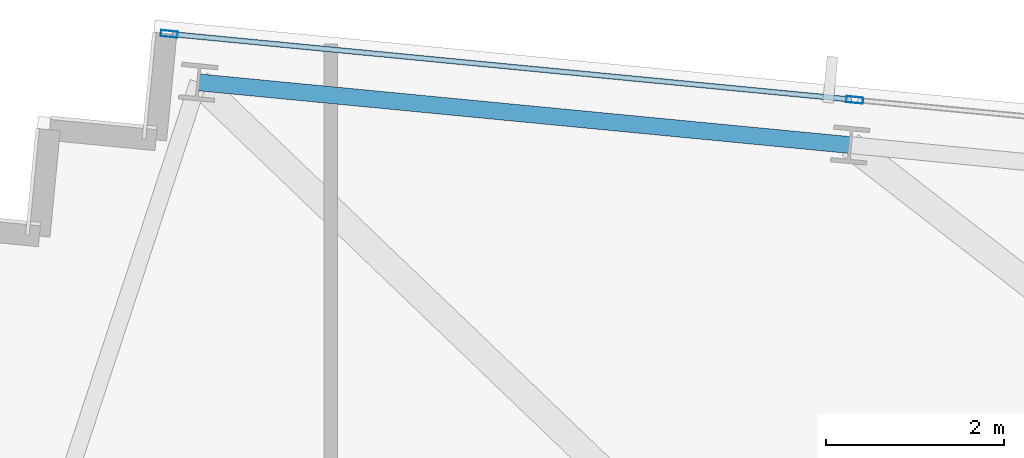
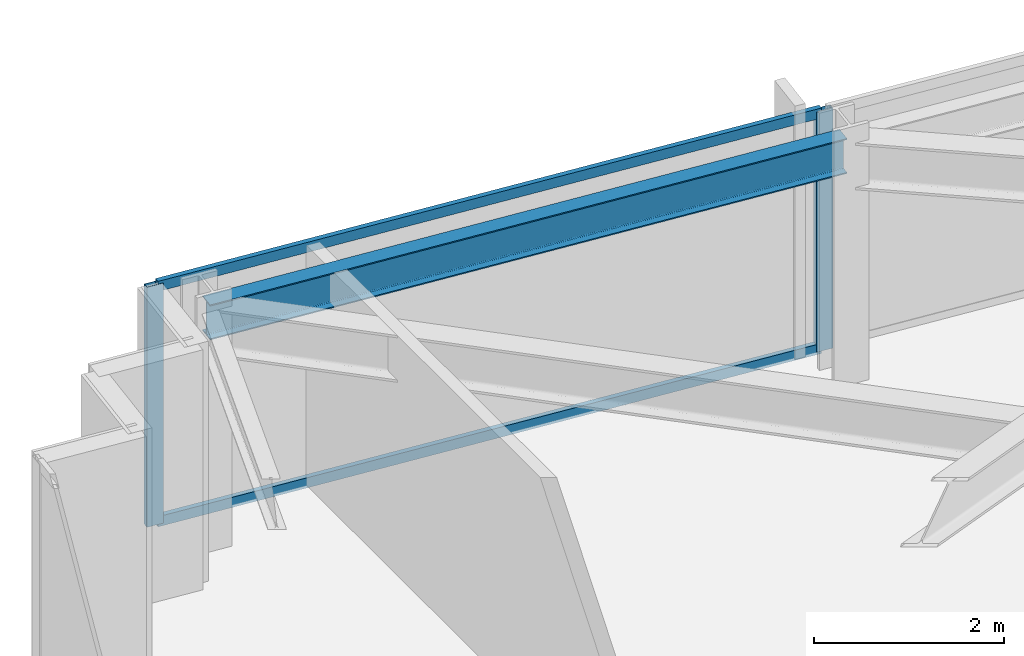
# One storey, part 23 of 37: 4 members, 1 beam, 1 element without a shape of its own.
"""IFC4 building model written with IfcOpenShell, lengths in metres."""

from ifc_helpers import new_model, si_unit, direction, frame, origin, origin_2d, place, context, subcontext, project, spatial, hollow_rectangle, i_section, extrude, material, material_profile, profile_set, type_object, element, aggregate, save


model = new_model("IFC4")

# Units and contexts
model_context = context("Model", 3, precision=1e-05, world=origin(), true_north=direction((0.0, 1.0)))
body_context = subcontext(model_context, "Body", "Model", "MODEL_VIEW")
ifc_project = project(units=[si_unit("LENGTHUNIT", "METRE"), si_unit("AREAUNIT", "SQUARE_METRE"), si_unit("VOLUMEUNIT", "CUBIC_METRE"), si_unit("PLANEANGLEUNIT", "RADIAN"), si_unit("MASSUNIT", "GRAM", prefix="KILO")], contexts=[model_context])

# Site, building, storey
site_placement = place(None, origin())
site = spatial("IfcSite", under=ifc_project, at=site_placement, CompositionType="ELEMENT")
building_placement = place(site_placement, origin())
building = spatial("IfcBuilding", under=site, at=building_placement, Name="Yelkora Congress Tower", CompositionType="ELEMENT")
storey_placement = place(building_placement, frame((0.0, 0.0, 158.89990234375)))
storey = spatial("IfcBuildingStorey", under=building, at=storey_placement, Name="L43", CompositionType="ELEMENT", Elevation=158.89990234375)

# Beam
ifc_material_1 = material(Name="Steel S355J2", Category="steel")
ifc_material_profile_1 = material_profile(ifc_material_1, i_section(OverallWidth=0.18994140625, OverallDepth=0.449951171875, WebThickness=0.009521484375, FlangeThickness=0.0146484375, FilletRadius=0.02099609375, at=origin_2d()), Name="IPE 450")
ifc_profile_set_1 = profile_set([ifc_material_profile_1], Name="Steel S355J2")
beam_type = type_object("IfcBeamType", Name="BM-SPAN-IPE450", PredefinedType="SPANDREL", material=ifc_profile_set_1)
beam_placement = place(storey_placement, frame((14.712158203125, 49.685546875, 2.85498046875), z_axis=(-0.995397104697, 0.095836339457, 0.0), x_axis=(-0.095836339457, -0.995397104697, 0.0)))
element("IfcBeam", 1, at=beam_placement, inside=storey, type_object=beam_type, Name="L43 Perimeter Beam 15", PredefinedType="SPANDREL", context=body_context, shape_type="SweptSolid", body=[
    extrude(i_section(OverallWidth=0.18994140625, OverallDepth=0.449951171875, WebThickness=0.009521484375, FlangeThickness=0.0146484375, FilletRadius=0.02099609375, at=origin_2d()), origin(), (0.0, 0.0, 1.0), 7.357177734375),
])

# Curtain wall, members
ifc_material_2 = material(Name="Anodised aluminium and insulated glass", Category="aluminium")
curtain_wall_type = type_object("IfcCurtainWallType", Name="CW-SYS-B3", PredefinedType="NOTDEFINED", material=ifc_material_2)
curtain_wall_placement = place(storey_placement, origin())
curtain_wall = element("IfcCurtainWall", 2, at=curtain_wall_placement, inside=storey, type_object=curtain_wall_type, Name="L43 Unitised Curtain Wall 10 (1)", PredefinedType="NOTDEFINED")
ifc_material_3 = material(Name="Anodised aluminium 6063-T6", Category="aluminium")
ifc_material_profile_2 = material_profile(ifc_material_3, hollow_rectangle(XDim=0.070068359375, YDim=0.18994140625, WallThickness=0.00390625, at=origin_2d()), Name="ALU 70x190x4")
ifc_profile_set_2 = profile_set([ifc_material_profile_2], Name="Anodised aluminium 6063-T6")
member_type_1 = type_object("IfcMemberType", Name="MEM-ML-B3", PredefinedType="MULLION", material=ifc_profile_set_2)
member_1_placement = place(storey_placement, frame((7.064453125, 50.934326171875, 0.0), z_axis=(0.0, 0.0, 1.0), x_axis=(0.095844761168, 0.995396293823, 0.0)))
member_1 = element("IfcMember", 3, at=member_1_placement, type_object=member_type_1, Name="CW-B3 mullion 1", PredefinedType="MULLION", context=body_context, shape_type="SweptSolid", body=[
    extrude(hollow_rectangle(XDim=0.070068359375, YDim=0.18994140625, WallThickness=0.00390625, at=origin_2d()), origin(), (0.0, 0.0, 1.0), 3.080078125),
])
member_2_placement = place(storey_placement, frame((14.76318359375, 50.19287109375, 0.0), z_axis=(0.0, 0.0, 1.0), x_axis=(0.095844761168, 0.995396293823, 0.0)))
member_2 = element("IfcMember", 4, at=member_2_placement, type_object=member_type_1, Name="CW-B3 mullion 2", PredefinedType="MULLION", context=body_context, shape_type="SweptSolid", body=[
    extrude(hollow_rectangle(XDim=0.070068359375, YDim=0.18994140625, WallThickness=0.00390625, at=origin_2d()), origin(), (0.0, 0.0, 1.0), 3.080078125),
])
ifc_material_profile_3 = material_profile(ifc_material_3, hollow_rectangle(XDim=0.06005859375, YDim=0.1298828125, WallThickness=0.00390625, at=origin_2d()), Name="ALU 60x130x4")
ifc_profile_set_3 = profile_set([ifc_material_profile_3], Name="Anodised aluminium 6063-T6")
member_type_2 = type_object("IfcMemberType", Name="MEM-TR-B3", PredefinedType="USERDEFINED", material=ifc_profile_set_3)
member_3_placement = place(storey_placement, frame((7.099365234375, 50.930908203125, 0.030029296875), z_axis=(0.995395712642, -0.09585079683, 0.0), x_axis=(0.09585079683, 0.995395712642, 0.0)))
member_3 = element("IfcMember", 5, at=member_3_placement, type_object=member_type_2, Name="CW-B3 transom 1.1", ObjectType="TRANSOM", PredefinedType="USERDEFINED", context=body_context, shape_type="SweptSolid", body=[
    extrude(hollow_rectangle(XDim=0.06005859375, YDim=0.1298828125, WallThickness=0.00390625, at=origin_2d()), origin(), (0.0, 0.0, 1.0), 7.664306640625),
])
member_4_placement = place(storey_placement, frame((7.099365234375, 50.930908203125, 3.050048828125), z_axis=(0.995395712642, -0.09585079683, 0.0), x_axis=(0.09585079683, 0.995395712642, 0.0)))
member_4 = element("IfcMember", 6, at=member_4_placement, type_object=member_type_2, Name="CW-B3 transom 1.2", ObjectType="TRANSOM", PredefinedType="USERDEFINED", context=body_context, shape_type="SweptSolid", body=[
    extrude(hollow_rectangle(XDim=0.06005859375, YDim=0.1298828125, WallThickness=0.00390625, at=origin_2d()), origin(), (0.0, 0.0, 1.0), 7.664306640625),
])
aggregate(curtain_wall, [member_1, member_2, member_3, member_4])

save(model, "model.ifc")
